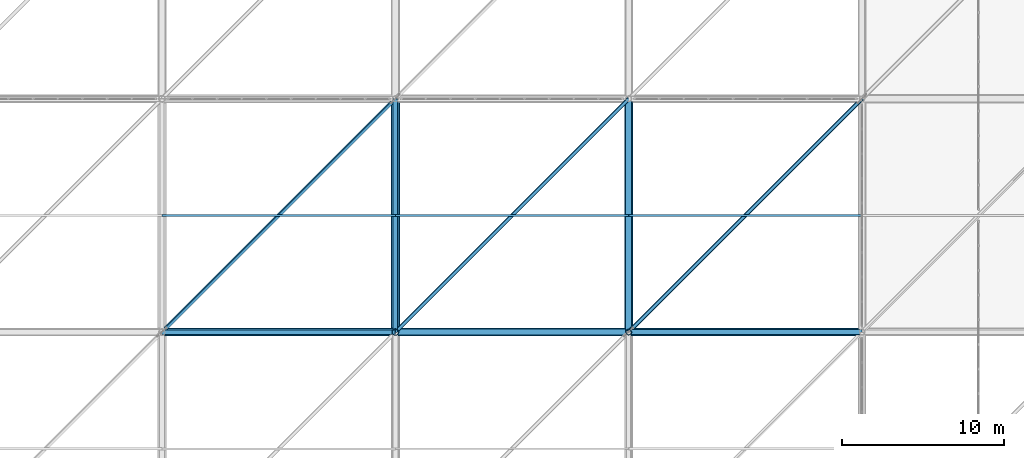
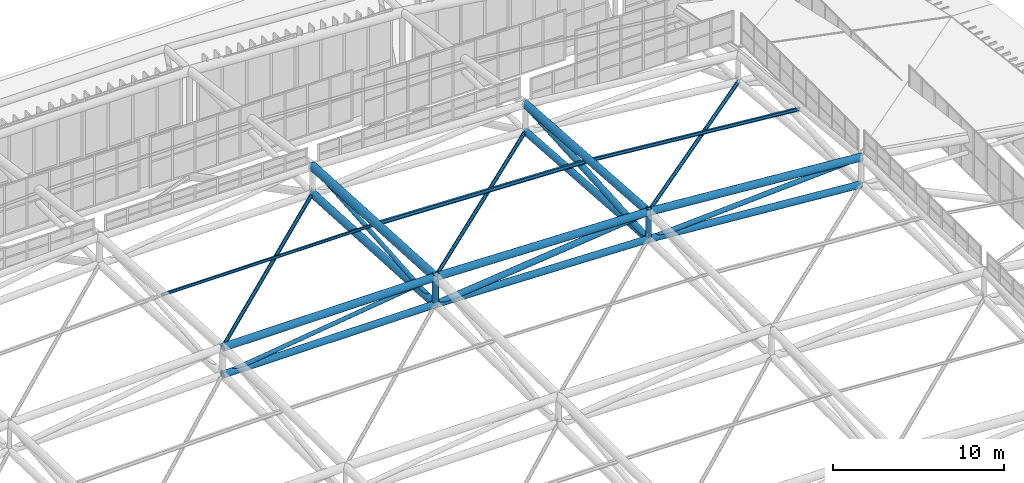
# One storey, part 267 of 397: 13 members, 10 beams.
"""IFC4 building model written with IfcOpenShell, lengths in metres."""

from ifc_helpers import new_model, si_unit, direction, frame, origin, origin_2d, place, context, subcontext, project, spatial, hollow_circle, i_section, extrude, material, material_profile, profile_set, type_object, element, save


model = new_model("IFC4")

# Units and contexts
model_context = context("Model", 3, precision=1e-05, world=origin(), true_north=direction((0.0, 1.0)))
body_context = subcontext(model_context, "Body", "Model", "MODEL_VIEW")
ifc_project = project(units=[si_unit("LENGTHUNIT", "METRE"), si_unit("AREAUNIT", "SQUARE_METRE"), si_unit("VOLUMEUNIT", "CUBIC_METRE"), si_unit("PLANEANGLEUNIT", "RADIAN"), si_unit("MASSUNIT", "GRAM", prefix="KILO")], contexts=[model_context])

# Site, building, storey
site_placement = place(None, origin())
site = spatial("IfcSite", under=ifc_project, at=site_placement, CompositionType="ELEMENT")
building_placement = place(site_placement, origin())
building = spatial("IfcBuilding", under=site, at=building_placement, Name="Qandorah Velis Arena", CompositionType="ELEMENT")
storey_placement = place(building_placement, frame((0.0, 0.0, 27.5)))
storey = spatial("IfcBuildingStorey", under=building, at=storey_placement, Name="RF", CompositionType="ELEMENT", Elevation=27.5)

# Members
ifc_material_1 = material(Name="Steel S355", Category="steel")
ifc_material_profile_1 = material_profile(ifc_material_1, i_section(OverallWidth=0.10009765625, OverallDepth=0.199951171875, WebThickness=0.005615234375, FlangeThickness=0.008544921875, FilletRadius=0.011962890625, at=origin_2d()), Name="IPE 200")
ifc_profile_set_1 = profile_set([ifc_material_profile_1], Name="Steel S355")
member_type_1 = type_object("IfcMemberType", Name="STR-PRL-IPE200", PredefinedType="PURLIN", material=ifc_profile_set_1)
member_1_placement = place(storey_placement, frame((57.60009765625, 93.60009765625, 9.748291015625), z_axis=(1.0, 0.0, 0.0), x_axis=(0.0, 1.0, 0.0)))
element("IfcMember", 1, at=member_1_placement, inside=storey, type_object=member_type_1, Name="Arena roof purlin PRL-3.5", PredefinedType="PURLIN", context=body_context, shape_type="SweptSolid", body=[
    extrude(i_section(OverallWidth=0.10009765625, OverallDepth=0.199951171875, WebThickness=0.005615234375, FlangeThickness=0.008544921875, FilletRadius=0.011962890625, at=origin_2d()), origin(), (0.0, 0.0, 1.0), 14.39990234375),
])
ifc_material_profile_2 = material_profile(ifc_material_1, i_section(OverallWidth=0.1201171875, OverallDepth=0.239990234375, WebThickness=0.006103515625, FlangeThickness=0.009765625, FilletRadius=0.014892578125, at=origin_2d()), Name="IPE 240")
ifc_profile_set_2 = profile_set([ifc_material_profile_2], Name="Steel S355")
member_type_2 = type_object("IfcMemberType", Name="STR-PRL-IPE240", PredefinedType="PURLIN", material=ifc_profile_set_2)
member_2_placement = place(storey_placement, frame((86.39990234375, 93.60009765625, 9.254150390625), z_axis=(0.995870478615, 0.0, -0.090785405346), x_axis=(0.0, 1.0, 0.0)))
element("IfcMember", 2, at=member_2_placement, inside=storey, type_object=member_type_2, Name="Arena roof purlin PRL-5.5", PredefinedType="PURLIN", context=body_context, shape_type="SweptSolid", body=[
    extrude(i_section(OverallWidth=0.1201171875, OverallDepth=0.239990234375, WebThickness=0.006103515625, FlangeThickness=0.009765625, FilletRadius=0.014892578125, at=origin_2d()), origin(), (0.0, 0.0, 1.0), 14.4599609375),
])
ifc_material_profile_3 = material_profile(ifc_material_1, i_section(OverallWidth=0.135009765625, OverallDepth=0.27001953125, WebThickness=0.006591796875, FlangeThickness=0.01025390625, FilletRadius=0.014892578125, at=origin_2d()), Name="IPE 270")
ifc_profile_set_3 = profile_set([ifc_material_profile_3], Name="Steel S355")
member_type_3 = type_object("IfcMemberType", Name="STR-PRL-IPE270", PredefinedType="PURLIN", material=ifc_profile_set_3)
member_3_placement = place(storey_placement, frame((72.0, 93.60009765625, 9.748291015625), z_axis=(0.999411740861, 0.0, -0.03429536746), x_axis=(0.0, 1.0, 0.0)))
element("IfcMember", 3, at=member_3_placement, inside=storey, type_object=member_type_3, Name="Arena roof purlin PRL-4.5", PredefinedType="PURLIN", context=body_context, shape_type="SweptSolid", body=[
    extrude(i_section(OverallWidth=0.135009765625, OverallDepth=0.27001953125, WebThickness=0.006591796875, FlangeThickness=0.01025390625, FilletRadius=0.014892578125, at=origin_2d()), origin(), (0.0, 0.0, 1.0), 14.408447265625),
])

# Beams
ifc_material_profile_4 = material_profile(ifc_material_1, hollow_circle(Radius=0.228515625, WallThickness=0.01611328125, at=origin_2d()), Name="CHS 457x16")
ifc_profile_set_4 = profile_set([ifc_material_profile_4], Name="Steel S355")
beam_type_1 = type_object("IfcBeamType", Name="STR-SFC-CHS457X16", PredefinedType="USERDEFINED", material=ifc_profile_set_4)
beam_1_placement = place(storey_placement, frame((86.39990234375, 86.39990234375, 8.038818359375), z_axis=(0.0, 0.997455179088, -0.071296323263), x_axis=(-1.0, 0.0, 0.0)))
element("IfcBeam", 4, at=beam_1_placement, inside=storey, type_object=beam_type_1, Name="Space frame roof truss bottom chord Y 5.5", ObjectType="ROOF TRUSS", PredefinedType="USERDEFINED", context=body_context, shape_type="SweptSolid", body=[
    extrude(hollow_circle(Radius=0.228515625, WallThickness=0.01611328125, at=origin_2d()), origin(), (0.0, 0.0, 1.0), 14.436767578125),
])
beam_2_placement = place(storey_placement, frame((57.60009765625, 86.39990234375, 8.42333984375), z_axis=(1.0, 0.0, 0.0), x_axis=(0.0, 1.0, 0.0)))
element("IfcBeam", 5, at=beam_2_placement, inside=storey, type_object=beam_type_1, Name="Space frame roof truss bottom chord X 3.5", ObjectType="ROOF TRUSS", PredefinedType="USERDEFINED", context=body_context, shape_type="SweptSolid", body=[
    extrude(hollow_circle(Radius=0.228515625, WallThickness=0.01611328125, at=origin_2d()), origin(), (0.0, 0.0, 1.0), 14.39990234375),
])
beam_3_placement = place(storey_placement, frame((72.0, 86.39990234375, 8.42333984375), z_axis=(0.999643663795, 0.0, -0.026693546683), x_axis=(0.0, 1.0, 0.0)))
element("IfcBeam", 6, at=beam_3_placement, inside=storey, type_object=beam_type_1, Name="Space frame roof truss bottom chord X 4.5", ObjectType="ROOF TRUSS", PredefinedType="USERDEFINED", context=body_context, shape_type="SweptSolid", body=[
    extrude(hollow_circle(Radius=0.228515625, WallThickness=0.01611328125, at=origin_2d()), origin(), (0.0, 0.0, 1.0), 14.405029296875),
])
beam_4_placement = place(storey_placement, frame((86.39990234375, 86.39990234375, 8.038818359375), z_axis=(0.996929303331, 0.0, -0.078306858965), x_axis=(0.0, 1.0, 0.0)))
element("IfcBeam", 7, at=beam_4_placement, inside=storey, type_object=beam_type_1, Name="Space frame roof truss bottom chord X 5.5", ObjectType="ROOF TRUSS", PredefinedType="USERDEFINED", context=body_context, shape_type="SweptSolid", body=[
    extrude(hollow_circle(Radius=0.228515625, WallThickness=0.01611328125, at=origin_2d()), origin(), (0.0, 0.0, 1.0), 14.444580078125),
])
ifc_material_profile_5 = material_profile(ifc_material_1, hollow_circle(Radius=0.25390625, WallThickness=0.02001953125, at=origin_2d()), Name="CHS 508x20")
ifc_profile_set_5 = profile_set([ifc_material_profile_5], Name="Steel S355")
beam_type_2 = type_object("IfcBeamType", Name="STR-SFC-CHS508X20", PredefinedType="USERDEFINED", material=ifc_profile_set_5)
beam_5_placement = place(storey_placement, frame((86.39990234375, 86.39990234375, 9.98876953125), z_axis=(0.0, 0.997455179088, -0.071296323263), x_axis=(-1.0, 0.0, 0.0)))
element("IfcBeam", 8, at=beam_5_placement, inside=storey, type_object=beam_type_2, Name="Space frame roof truss top chord Y 5.5", ObjectType="ROOF TRUSS", PredefinedType="USERDEFINED", context=body_context, shape_type="SweptSolid", body=[
    extrude(hollow_circle(Radius=0.25390625, WallThickness=0.02001953125, at=origin_2d()), origin(), (0.0, 0.0, 1.0), 14.436767578125),
])
beam_6_placement = place(storey_placement, frame((57.60009765625, 86.39990234375, 10.373291015625), z_axis=(1.0, 0.0, 0.0), x_axis=(0.0, 1.0, 0.0)))
element("IfcBeam", 9, at=beam_6_placement, inside=storey, type_object=beam_type_2, Name="Space frame roof truss top chord X 3.5", ObjectType="ROOF TRUSS", PredefinedType="USERDEFINED", context=body_context, shape_type="SweptSolid", body=[
    extrude(hollow_circle(Radius=0.25390625, WallThickness=0.02001953125, at=origin_2d()), origin(), (0.0, 0.0, 1.0), 14.39990234375),
])
beam_7_placement = place(storey_placement, frame((72.0, 86.39990234375, 10.373291015625), z_axis=(0.999643663795, 0.0, -0.026693546683), x_axis=(0.0, 1.0, 0.0)))
element("IfcBeam", 10, at=beam_7_placement, inside=storey, type_object=beam_type_2, Name="Space frame roof truss top chord X 4.5", ObjectType="ROOF TRUSS", PredefinedType="USERDEFINED", context=body_context, shape_type="SweptSolid", body=[
    extrude(hollow_circle(Radius=0.25390625, WallThickness=0.02001953125, at=origin_2d()), origin(), (0.0, 0.0, 1.0), 14.405029296875),
])
beam_8_placement = place(storey_placement, frame((86.39990234375, 86.39990234375, 9.98876953125), z_axis=(0.996929303331, 0.0, -0.078306858965), x_axis=(0.0, 1.0, 0.0)))
element("IfcBeam", 11, at=beam_8_placement, inside=storey, type_object=beam_type_2, Name="Space frame roof truss top chord X 5.5", ObjectType="ROOF TRUSS", PredefinedType="USERDEFINED", context=body_context, shape_type="SweptSolid", body=[
    extrude(hollow_circle(Radius=0.25390625, WallThickness=0.02001953125, at=origin_2d()), origin(), (0.0, 0.0, 1.0), 14.444580078125),
])
ifc_material_profile_6 = material_profile(ifc_material_1, hollow_circle(Radius=0.25390625, WallThickness=0.02490234375, at=origin_2d()), Name="CHS 508x25")
ifc_profile_set_6 = profile_set([ifc_material_profile_6], Name="Steel S355")
beam_type_3 = type_object("IfcBeamType", Name="STR-SFC-CHS508X25", PredefinedType="USERDEFINED", material=ifc_profile_set_6)
beam_9_placement = place(storey_placement, frame((72.0, 86.39990234375, 8.42333984375), z_axis=(0.0, 0.998421517343, -0.056164701601), x_axis=(-1.0, 0.0, 0.0)))
element("IfcBeam", 12, at=beam_9_placement, inside=storey, type_object=beam_type_3, Name="Space frame roof truss bottom chord Y 4.5", ObjectType="ROOF TRUSS", PredefinedType="USERDEFINED", context=body_context, shape_type="SweptSolid", body=[
    extrude(hollow_circle(Radius=0.25390625, WallThickness=0.02490234375, at=origin_2d()), origin(), (0.0, 0.0, 1.0), 14.4228515625),
])
ifc_material_profile_7 = material_profile(ifc_material_1, hollow_circle(Radius=0.279541015625, WallThickness=0.02490234375, at=origin_2d()), Name="CHS 559x25")
ifc_profile_set_7 = profile_set([ifc_material_profile_7], Name="Steel S355")
beam_type_4 = type_object("IfcBeamType", Name="STR-SFC-CHS559X25", PredefinedType="USERDEFINED", material=ifc_profile_set_7)
beam_10_placement = place(storey_placement, frame((72.0, 86.39990234375, 10.373291015625), z_axis=(0.0, 0.998421517343, -0.056164701601), x_axis=(-1.0, 0.0, 0.0)))
element("IfcBeam", 13, at=beam_10_placement, inside=storey, type_object=beam_type_4, Name="Space frame roof truss top chord Y 4.5", ObjectType="ROOF TRUSS", PredefinedType="USERDEFINED", context=body_context, shape_type="SweptSolid", body=[
    extrude(hollow_circle(Radius=0.279541015625, WallThickness=0.02490234375, at=origin_2d()), origin(), (0.0, 0.0, 1.0), 14.4228515625),
])

# Members
ifc_material_profile_8 = material_profile(ifc_material_1, hollow_circle(Radius=0.122314453125, WallThickness=0.012451171875, at=origin_2d()), Name="CHS 244.5x12.5")
ifc_profile_set_8 = profile_set([ifc_material_profile_8], Name="Steel S355")
member_type_4 = type_object("IfcMemberType", Name="STR-SFD-CHS244X12", PredefinedType="STRUT", material=ifc_profile_set_8)
member_4_placement = place(storey_placement, frame((72.0, 100.800048828125, 7.61328125), z_axis=(-0.700694844747, -0.700706724555, 0.134301231221), x_axis=(0.707112775369, -0.707100786953, 0.0)))
element("IfcMember", 14, at=member_4_placement, inside=storey, type_object=member_type_4, Name="Space frame roof spatial diagonal 3.5", PredefinedType="STRUT", context=body_context, shape_type="SweptSolid", body=[
    extrude(hollow_circle(Radius=0.122314453125, WallThickness=0.012451171875, at=origin_2d()), origin(), (0.0, 0.0, 1.0), 20.55078125),
])
member_5_placement = place(storey_placement, frame((86.39990234375, 100.800048828125, 7.009521484375), z_axis=(-0.697647782762, -0.697659610909, 0.162968213199), x_axis=(0.707112775369, -0.707100786953, 0.0)))
element("IfcMember", 15, at=member_5_placement, inside=storey, type_object=member_type_4, Name="Space frame roof spatial diagonal 4.5", PredefinedType="STRUT", context=body_context, shape_type="SweptSolid", body=[
    extrude(hollow_circle(Radius=0.122314453125, WallThickness=0.012451171875, at=origin_2d()), origin(), (0.0, 0.0, 1.0), 20.640625),
])
member_6_placement = place(storey_placement, frame((100.800048828125, 100.800048828125, 5.515380859375), z_axis=(-0.690640889692, -0.690640889692, 0.214546785037), x_axis=(0.707106781187, -0.707106781187, 0.0)))
element("IfcMember", 16, at=member_6_placement, inside=storey, type_object=member_type_4, Name="Space frame roof spatial diagonal 5.5", PredefinedType="STRUT", context=body_context, shape_type="SweptSolid", body=[
    extrude(hollow_circle(Radius=0.122314453125, WallThickness=0.012451171875, at=origin_2d()), origin(), (0.0, 0.0, 1.0), 20.850341796875),
])
ifc_material_profile_9 = material_profile(ifc_material_1, hollow_circle(Radius=0.136474609375, WallThickness=0.010009765625, at=origin_2d()), Name="CHS 273x10")
ifc_profile_set_9 = profile_set([ifc_material_profile_9], Name="Steel S355")
member_type_5 = type_object("IfcMemberType", Name="STR-SFD-CHS273X10", PredefinedType="STRUT", material=ifc_profile_set_9)
member_7_placement = place(storey_placement, frame((72.0, 86.39990234375, 8.42333984375), z_axis=(0.0, 0.996881621046, 0.07891155568), x_axis=(-1.0, 0.0, 0.0)))
element("IfcMember", 17, at=member_7_placement, inside=storey, type_object=member_type_5, Name="Space frame roof diagonal Y 4.5", PredefinedType="STRUT", context=body_context, shape_type="SweptSolid", body=[
    extrude(hollow_circle(Radius=0.136474609375, WallThickness=0.010009765625, at=origin_2d()), origin(), (0.0, 0.0, 1.0), 14.4453125),
])
ifc_material_profile_10 = material_profile(ifc_material_1, hollow_circle(Radius=0.136474609375, WallThickness=0.012451171875, at=origin_2d()), Name="CHS 273x12.5")
ifc_profile_set_10 = profile_set([ifc_material_profile_10], Name="Steel S355")
member_type_6 = type_object("IfcMemberType", Name="STR-SFD-CHS273X12", PredefinedType="STRUT", material=ifc_profile_set_10)
member_8_placement = place(storey_placement, frame((57.60009765625, 86.39990234375, 8.42333984375), z_axis=(0.990955693773, 0.0, 0.134189466721), x_axis=(0.0, 1.0, 0.0)))
element("IfcMember", 18, at=member_8_placement, inside=storey, type_object=member_type_6, Name="Space frame roof diagonal X 3.5", PredefinedType="STRUT", context=body_context, shape_type="SweptSolid", body=[
    extrude(hollow_circle(Radius=0.136474609375, WallThickness=0.012451171875, at=origin_2d()), origin(), (0.0, 0.0, 1.0), 14.53125),
])
ifc_material_profile_11 = material_profile(ifc_material_1, hollow_circle(Radius=0.161865234375, WallThickness=0.01611328125, at=origin_2d()), Name="CHS 323.9x16")
ifc_profile_set_11 = profile_set([ifc_material_profile_11], Name="Steel S355")
member_type_7 = type_object("IfcMemberType", Name="STR-SFD-CHS323X16", PredefinedType="CHORD", material=ifc_profile_set_11)
member_9_placement = place(storey_placement, frame((86.39990234375, 86.39990234375, 8.038818359375), z_axis=(0.998387162007, 0.0, 0.056772129959), x_axis=(0.0, 1.0, 0.0)))
element("IfcMember", 19, at=member_9_placement, inside=storey, type_object=member_type_7, Name="Space frame roof diagonal X 5.5", PredefinedType="CHORD", context=body_context, shape_type="SweptSolid", body=[
    extrude(hollow_circle(Radius=0.161865234375, WallThickness=0.01611328125, at=origin_2d()), origin(), (0.0, 0.0, 1.0), 14.42333984375),
])
ifc_material_profile_12 = material_profile(ifc_material_1, hollow_circle(Radius=0.177734375, WallThickness=0.01611328125, at=origin_2d()), Name="CHS 355.6x16")
ifc_profile_set_12 = profile_set([ifc_material_profile_12], Name="Steel S355")
member_type_8 = type_object("IfcMemberType", Name="STR-SFD-CHS355X16", PredefinedType="STRUT", material=ifc_profile_set_12)
member_10_placement = place(storey_placement, frame((86.39990234375, 86.39990234375, 8.038818359375), z_axis=(0.0, 0.0, 1.0), x_axis=(1.0, 0.0, 0.0)))
element("IfcMember", 20, at=member_10_placement, inside=storey, type_object=member_type_8, Name="Space frame roof vertical post 5.5", PredefinedType="STRUT", context=body_context, shape_type="SweptSolid", body=[
    extrude(hollow_circle(Radius=0.177734375, WallThickness=0.01611328125, at=origin_2d()), origin(), (0.0, 0.0, 1.0), 2.2099609375),
])
ifc_material_profile_13 = material_profile(ifc_material_1, hollow_circle(Radius=0.203125, WallThickness=0.01611328125, at=origin_2d()), Name="CHS 406.4x16")
ifc_profile_set_13 = profile_set([ifc_material_profile_13], Name="Steel S355")
member_type_9 = type_object("IfcMemberType", Name="STR-SFD-CHS406X16", PredefinedType="STRUT", material=ifc_profile_set_13)
member_11_placement = place(storey_placement, frame((72.0, 86.39990234375, 8.42333984375), z_axis=(0.0, 0.0, 1.0), x_axis=(1.0, 0.0, 0.0)))
element("IfcMember", 21, at=member_11_placement, inside=storey, type_object=member_type_9, Name="Space frame roof vertical post 4.5", PredefinedType="STRUT", context=body_context, shape_type="SweptSolid", body=[
    extrude(hollow_circle(Radius=0.203125, WallThickness=0.01611328125, at=origin_2d()), origin(), (0.0, 0.0, 1.0), 2.2099609375),
])
member_12_placement = place(storey_placement, frame((72.0, 86.39990234375, 8.42333984375), z_axis=(0.994142809728, 0.0, 0.108074390424), x_axis=(0.0, 1.0, 0.0)))
element("IfcMember", 22, at=member_12_placement, inside=storey, type_object=member_type_9, Name="Space frame roof diagonal X 4.5", PredefinedType="STRUT", context=body_context, shape_type="SweptSolid", body=[
    extrude(hollow_circle(Radius=0.203125, WallThickness=0.01611328125, at=origin_2d()), origin(), (0.0, 0.0, 1.0), 14.48486328125),
])
ifc_material_2 = material(Name="Steel S460", Category="steel")
ifc_material_profile_14 = material_profile(ifc_material_2, hollow_circle(Radius=0.203125, WallThickness=0.02001953125, at=origin_2d()), Name="CHS 406.4x20")
ifc_profile_set_14 = profile_set([ifc_material_profile_14], Name="Steel S460")
member_type_10 = type_object("IfcMemberType", Name="STR-SFD-CHS406X20", PredefinedType="STRUT", material=ifc_profile_set_14)
member_13_placement = place(storey_placement, frame((86.39990234375, 86.39990234375, 8.038818359375), z_axis=(0.0, 0.9979624867, 0.06380341009), x_axis=(-1.0, 0.0, 0.0)))
element("IfcMember", 23, at=member_13_placement, inside=storey, type_object=member_type_10, Name="Space frame roof diagonal Y 5.5", PredefinedType="STRUT", context=body_context, shape_type="SweptSolid", body=[
    extrude(hollow_circle(Radius=0.203125, WallThickness=0.02001953125, at=origin_2d()), origin(), (0.0, 0.0, 1.0), 14.429443359375),
])

save(model, "model.ifc")
